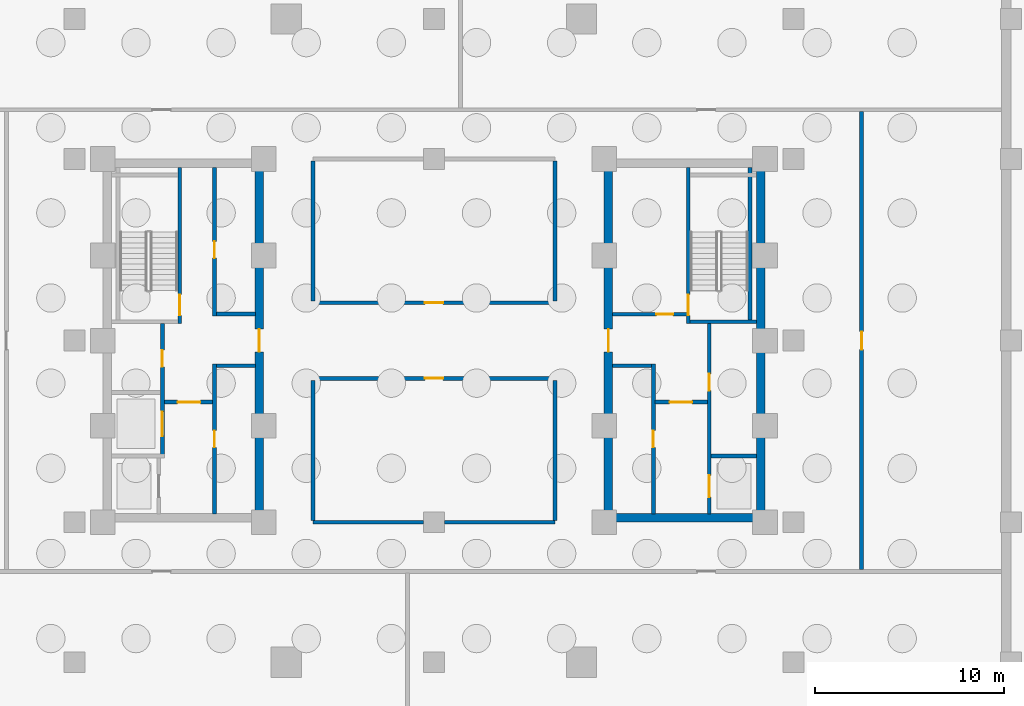
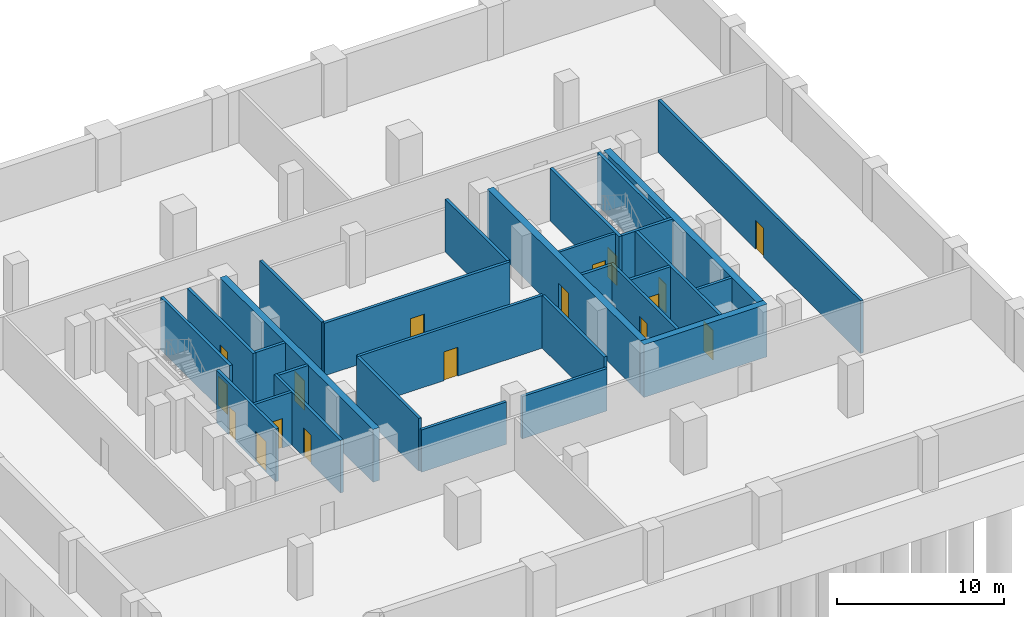
# One storey, part 3 of 6: 29 walls, 17 doors, 17 openings.
"""IFC4 building model written with IfcOpenShell, lengths in metres."""

from ifc_helpers import new_model, si_unit, direction, frame, frame_2d, origin, place, context, subcontext, project, spatial, rectangle, extrude, source, transform, mapped, material, layer, layer_set, type_object, type_shapes, element, fill, save


model = new_model("IFC4")

# Units and contexts
model_context = context("Model", 3, precision=1e-05, world=origin(), true_north=direction((0.0, 1.0)))
body_context = subcontext(model_context, "Body", "Model", "MODEL_VIEW")
ifc_project = project(units=[si_unit("LENGTHUNIT", "METRE"), si_unit("AREAUNIT", "SQUARE_METRE"), si_unit("VOLUMEUNIT", "CUBIC_METRE"), si_unit("PLANEANGLEUNIT", "RADIAN"), si_unit("MASSUNIT", "GRAM", prefix="KILO")], contexts=[model_context])

# Site, building, storey
site_placement = place(None, origin())
site = spatial("IfcSite", under=ifc_project, at=site_placement, CompositionType="ELEMENT")
building_placement = place(site_placement, origin())
building = spatial("IfcBuilding", under=site, at=building_placement, Name="Nuvemarco Arch Tower", CompositionType="ELEMENT")
storey_placement = place(building_placement, frame((0.0, 0.0, -8.39990234375)))
storey = spatial("IfcBuildingStorey", under=building, at=storey_placement, Name="B02", CompositionType="ELEMENT", Elevation=-8.39990234375)

# Wall, opening, door
ifc_material_1 = material(Name="Concrete C60/75", Category="concrete")
ifc_layer_1 = layer(ifc_material_1, 0.449951171875, Name="WL-CORE-450")
ifc_layer_set_1 = layer_set([ifc_layer_1], Name="Concrete C60/75")
wall_type_1 = type_object("IfcWallType", Name="WL-CORE-450", PredefinedType="SHEAR", material=ifc_layer_set_1)
wall_1_placement = place(storey_placement, frame((-9.22509765625, -9.155029296875, 0.0), z_axis=(0.0, 0.0, 1.0), x_axis=(0.0, 1.0, 0.0)))
wall_1 = element("IfcWall", 1, at=wall_1_placement, inside=storey, type_object=wall_type_1, Name="B02 W-core shear wall E", PredefinedType="SHEAR", context=body_context, shape_type="SweptSolid", body=[
    extrude(rectangle(XDim=18.31005859375, YDim=0.449951171875, at=frame_2d((9.155029296875, 0.0))), origin(), (0.0, 0.0, 1.0), 3.849853515625),
])
opening_1_placement = place(wall_1_placement, frame((8.554931640625, 0.0, 0.0)))
opening_1 = element("IfcOpeningElement", 2, at=opening_1_placement, cuts=wall_1, Name="Opening FD-2", PredefinedType="OPENING", context=body_context, shape_type="SweptSolid", body=[
    extrude(rectangle(XDim=1.199951171875, YDim=2.14990234375, at=frame_2d((0.60009765625, 1.074951171875))), frame((0.0, 0.23486328125, 0.0), z_axis=(0.0, -1.0, 0.0), x_axis=(1.0, 0.0, 0.0)), (0.0, 0.0, 1.0), 0.469970703125),
])
ifc_material_2 = material(Name="Anodised steel fire door", Category="steel")
door_type_1 = type_object("IfcDoorType", Name="DR-FFLOB-FD", OperationType="NOTDEFINED", PredefinedType="DOOR", material=ifc_material_2)
shared_shape_1 = source(origin(), body_context, "Body", "SweptSolid", [
    extrude(rectangle(XDim=1.199951171875, YDim=2.14990234375, at=frame_2d((0.60009765625, 1.074951171875))), frame((0.0, 0.02490234375, 0.0), z_axis=(0.0, -1.0, 0.0), x_axis=(1.0, 0.0, 0.0)), (0.0, 0.0, 1.0), 0.050048828125),
])
type_shapes(door_type_1, [shared_shape_1])
door_1_placement = place(opening_1_placement, origin())
door_1 = element("IfcDoor", 3, at=door_1_placement, inside=storey, type_object=door_type_1, Name="B02 door FD-B02-WCORE-E", OperationType="SINGLE_SWING_LEFT", OverallHeight=2.14990234375, OverallWidth=1.199951171875, PredefinedType="DOOR", context=body_context, shape_type="MappedRepresentation", body=[
    mapped(shared_shape_1, transform((0.0, 0.0, 0.0), scale=1.0)),
])
fill(opening_1, door_1)

# Wall
wall_2_placement = place(storey_placement, frame((9.0, -9.375, 0.0), z_axis=(0.0, 0.0, 1.0), x_axis=(1.0, 0.0, 0.0)))
element("IfcWall", 4, at=wall_2_placement, inside=storey, type_object=wall_type_1, Name="B02 E-core shear wall S", PredefinedType="SHEAR", context=body_context, shape_type="SweptSolid", body=[
    extrude(rectangle(XDim=8.5, YDim=0.449951171875, at=frame_2d((4.25, 0.0))), origin(), (0.0, 0.0, 1.0), 3.849853515625),
])

# Wall, opening, door
wall_3_placement = place(storey_placement, frame((9.22509765625, -9.155029296875, 0.0), z_axis=(0.0, 0.0, 1.0), x_axis=(0.0, 1.0, 0.0)))
wall_3 = element("IfcWall", 5, at=wall_3_placement, inside=storey, type_object=wall_type_1, Name="B02 E-core shear wall W", PredefinedType="SHEAR", context=body_context, shape_type="SweptSolid", body=[
    extrude(rectangle(XDim=18.31005859375, YDim=0.449951171875, at=frame_2d((9.155029296875, 0.0))), origin(), (0.0, 0.0, 1.0), 3.849853515625),
])
opening_2_placement = place(wall_3_placement, frame((8.554931640625, 0.0, 0.0)))
opening_2 = element("IfcOpeningElement", 6, at=opening_2_placement, cuts=wall_3, Name="Opening FD-2", PredefinedType="OPENING", context=body_context, shape_type="SweptSolid", body=[
    extrude(rectangle(XDim=1.199951171875, YDim=2.14990234375, at=frame_2d((0.60009765625, 1.074951171875))), frame((0.0, 0.23486328125, 0.0), z_axis=(0.0, -1.0, 0.0), x_axis=(1.0, 0.0, 0.0)), (0.0, 0.0, 1.0), 0.469970703125),
])
door_2_placement = place(opening_2_placement, origin())
door_2 = element("IfcDoor", 7, at=door_2_placement, inside=storey, type_object=door_type_1, Name="B02 door FD-B02-ECORE-W", OperationType="SINGLE_SWING_RIGHT", OverallHeight=2.14990234375, OverallWidth=1.199951171875, PredefinedType="DOOR", context=body_context, shape_type="MappedRepresentation", body=[
    mapped(shared_shape_1, transform((0.0, 0.0, 0.0), scale=1.0)),
])
fill(opening_2, door_2)

# Wall
wall_4_placement = place(storey_placement, frame((17.27490234375, -9.155029296875, 0.0), z_axis=(0.0, 0.0, 1.0), x_axis=(0.0, 1.0, 0.0)))
element("IfcWall", 8, at=wall_4_placement, inside=storey, type_object=wall_type_1, Name="B02 E-core shear wall E", PredefinedType="SHEAR", context=body_context, shape_type="SweptSolid", body=[
    extrude(rectangle(XDim=18.31005859375, YDim=0.449951171875, at=frame_2d((9.155029296875, 0.0))), origin(), (0.0, 0.0, 1.0), 3.849853515625),
])

# Wall, opening, door
ifc_material_3 = material(Name="Fire-rated gypsum drywall partition")
ifc_layer_2 = layer(ifc_material_3, 0.179931640625, Name="WL-CORR-180")
ifc_layer_set_2 = layer_set([ifc_layer_2], Name="Fire-rated gypsum drywall partition")
wall_type_2 = type_object("IfcWallType", Name="WL-CORR-180", PredefinedType="PARTITIONING", material=ifc_layer_set_2)
wall_5_placement = place(storey_placement, frame((9.445068359375, 1.39990234375, 0.0), z_axis=(0.0, 0.0, 1.0), x_axis=(1.0, 0.0, 0.0)))
wall_5 = element("IfcWall", 9, at=wall_5_placement, inside=storey, type_object=wall_type_2, Name="B02 interior wall IW-B02-EK-S", PredefinedType="PARTITIONING", context=body_context, shape_type="SweptSolid", body=[
    extrude(rectangle(XDim=3.89990234375, YDim=0.179931640625, at=frame_2d((1.949951171875, 0.0))), origin(), (0.0, 0.0, 1.0), 3.83984375),
])
opening_3_placement = place(wall_5_placement, frame((2.31494140625, 0.0, 0.0)))
opening_3 = element("IfcOpeningElement", 10, at=opening_3_placement, cuts=wall_5, Name="Opening FD-4", PredefinedType="OPENING", context=body_context, shape_type="SweptSolid", body=[
    extrude(rectangle(XDim=0.8798828125, YDim=2.10009765625, at=frame_2d((0.43994140625, 1.050048828125))), frame((0.0, 0.099853515625, 0.0), z_axis=(0.0, -1.0, 0.0), x_axis=(1.0, 0.0, 0.0)), (0.0, 0.0, 1.0), 0.199951171875),
])
door_type_2 = type_object("IfcDoorType", Name="DR-RISER-FD", OperationType="NOTDEFINED", PredefinedType="DOOR", material=ifc_material_2)
shared_shape_2 = source(origin(), body_context, "Body", "SweptSolid", [
    extrude(rectangle(XDim=0.8798828125, YDim=2.10009765625, at=frame_2d((0.43994140625, 1.050048828125))), frame((0.0, 0.02490234375, 0.0), z_axis=(0.0, -1.0, 0.0), x_axis=(1.0, 0.0, 0.0)), (0.0, 0.0, 1.0), 0.050048828125),
])
type_shapes(door_type_2, [shared_shape_2])
door_3_placement = place(opening_3_placement, origin())
door_3 = element("IfcDoor", 11, at=door_3_placement, inside=storey, type_object=door_type_2, Name="B02 door FD-B02-EK1A", OperationType="SINGLE_SWING_LEFT", OverallHeight=2.10009765625, OverallWidth=0.8798828125, PredefinedType="DOOR", context=body_context, shape_type="MappedRepresentation", body=[
    mapped(shared_shape_2, transform((0.0, 0.0, 0.0), scale=1.0)),
])
fill(opening_3, door_3)

# Walls
ifc_material_4 = material(Name="Precast concrete C45/55", Category="concrete")
ifc_layer_3 = layer(ifc_material_4, 0.199951171875, Name="WL-PLANT-200")
ifc_layer_set_3 = layer_set([ifc_layer_3], Name="Precast concrete C45/55")
wall_type_3 = type_object("IfcWallType", Name="WL-PLANT-200", PredefinedType="STANDARD", material=ifc_layer_set_3)
for number, where, z_axis, x_axis, name in (
    (12, (-6.39990234375, -9.60009765625, 0.0), (0.0, 0.0, 1.0), (1.0, 0.0, 0.0), "B02 interior wall IW-B02-002"),
    (13, (0.5458984375, -9.60009765625, 0.0), (0.0, 0.0, 1.0), (1.0, 0.0, 0.0), "B02 interior wall IW-B02-003"),
):
    element("IfcWall", number, at=place(storey_placement, frame(where, z_axis=z_axis, x_axis=x_axis)), inside=storey, type_object=wall_type_3, Name=name, PredefinedType="STANDARD", context=body_context, shape_type="SweptSolid", body=[
        extrude(rectangle(XDim=5.85400390625, YDim=0.199951171875, at=frame_2d((2.927001953125, 0.0))), origin(), (0.0, 0.0, 1.0), 3.0849609375),
    ])

# Wall, opening, door
wall_6_placement = place(storey_placement, frame((-6.39990234375, -2.0, 0.0), z_axis=(0.0, 0.0, 1.0), x_axis=(1.0, 0.0, 0.0)))
wall_6 = element("IfcWall", 14, at=wall_6_placement, inside=storey, type_object=wall_type_3, Name="B02 interior wall IW-B02-004", PredefinedType="STANDARD", context=body_context, shape_type="SweptSolid", body=[
    extrude(rectangle(XDim=12.7998046875, YDim=0.199951171875, at=frame_2d((6.39990234375, 0.0))), origin(), (0.0, 0.0, 1.0), 3.83984375),
])
opening_4_placement = place(wall_6_placement, frame((5.919921875, 0.0, 0.0)))
opening_4 = element("IfcOpeningElement", 15, at=opening_4_placement, cuts=wall_6, Name="Opening FD-5", PredefinedType="OPENING", context=body_context, shape_type="SweptSolid", body=[
    extrude(rectangle(XDim=0.9599609375, YDim=2.10009765625, at=frame_2d((0.47998046875, 1.050048828125))), frame((0.0, 0.10986328125, 0.0), z_axis=(0.0, -1.0, 0.0), x_axis=(1.0, 0.0, 0.0)), (0.0, 0.0, 1.0), 0.219970703125),
])
ifc_material_5 = material(Name="Timber fire door", Category="wood")
door_type_3 = type_object("IfcDoorType", Name="DR-CORR-FD", OperationType="NOTDEFINED", PredefinedType="DOOR", material=ifc_material_5)
shared_shape_3 = source(origin(), body_context, "Body", "SweptSolid", [
    extrude(rectangle(XDim=0.9599609375, YDim=2.10009765625, at=frame_2d((0.47998046875, 1.050048828125))), frame((0.0, 0.02490234375, 0.0), z_axis=(0.0, -1.0, 0.0), x_axis=(1.0, 0.0, 0.0)), (0.0, 0.0, 1.0), 0.050048828125),
])
type_shapes(door_type_3, [shared_shape_3])
door_4_placement = place(opening_4_placement, origin())
door_4 = element("IfcDoor", 16, at=door_4_placement, inside=storey, type_object=door_type_3, Name="B02 door DR-B02-B02_CS", OperationType="SINGLE_SWING_LEFT", OverallHeight=2.10009765625, OverallWidth=0.9599609375, PredefinedType="DOOR", context=body_context, shape_type="MappedRepresentation", body=[
    mapped(shared_shape_3, transform((0.0, 0.0, 0.0), scale=1.0)),
])
fill(opening_4, door_4)

wall_7_placement = place(storey_placement, frame((-6.39990234375, 2.0, 0.0), z_axis=(0.0, 0.0, 1.0), x_axis=(1.0, 0.0, 0.0)))
wall_7 = element("IfcWall", 17, at=wall_7_placement, inside=storey, type_object=wall_type_3, Name="B02 interior wall IW-B02-005", PredefinedType="STANDARD", context=body_context, shape_type="SweptSolid", body=[
    extrude(rectangle(XDim=12.7998046875, YDim=0.199951171875, at=frame_2d((6.39990234375, 0.0))), origin(), (0.0, 0.0, 1.0), 3.83984375),
])
opening_5_placement = place(wall_7_placement, frame((5.919921875, 0.0, 0.0)))
opening_5 = element("IfcOpeningElement", 18, at=opening_5_placement, cuts=wall_7, Name="Opening FD-5", PredefinedType="OPENING", context=body_context, shape_type="SweptSolid", body=[
    extrude(rectangle(XDim=0.9599609375, YDim=2.10009765625, at=frame_2d((0.47998046875, 1.050048828125))), frame((0.0, 0.10986328125, 0.0), z_axis=(0.0, -1.0, 0.0), x_axis=(1.0, 0.0, 0.0)), (0.0, 0.0, 1.0), 0.219970703125),
])
door_5_placement = place(opening_5_placement, origin())
door_5 = element("IfcDoor", 19, at=door_5_placement, inside=storey, type_object=door_type_3, Name="B02 door DR-B02-B02_CN", OperationType="SINGLE_SWING_RIGHT", OverallHeight=2.10009765625, OverallWidth=0.9599609375, PredefinedType="DOOR", context=body_context, shape_type="MappedRepresentation", body=[
    mapped(shared_shape_3, transform((0.0, 0.0, 0.0), scale=1.0)),
])
fill(opening_5, door_5)

# Walls
for number, where, z_axis, x_axis, name in (
    (20, (-6.39990234375, -9.50390625, 0.0), (0.0, 0.0, 1.0), (0.0, 1.0, 0.0), "B02 interior wall IW-B02-010"),
    (21, (-6.39990234375, 2.095947265625, 0.0), (0.0, 0.0, 1.0), (0.0, 1.0, 0.0), "B02 interior wall IW-B02-011"),
    (22, (6.39990234375, -9.50390625, 0.0), (0.0, 0.0, 1.0), (0.0, 1.0, 0.0), "B02 interior wall IW-B02-014"),
    (23, (6.39990234375, 2.095947265625, 0.0), (0.0, 0.0, 1.0), (0.0, 1.0, 0.0), "B02 interior wall IW-B02-015"),
):
    element("IfcWall", number, at=place(storey_placement, frame(where, z_axis=z_axis, x_axis=x_axis)), inside=storey, type_object=wall_type_3, Name=name, PredefinedType="STANDARD", context=body_context, shape_type="SweptSolid", body=[
        extrude(rectangle(XDim=7.407958984375, YDim=0.199951171875, at=frame_2d((3.7041015625, 0.0))), origin(), (0.0, 0.0, 1.0), 3.83984375),
    ])

# Wall, opening, door
wall_8_placement = place(storey_placement, frame((22.60009765625, -12.10400390625, 0.0), z_axis=(0.0, 0.0, 1.0), x_axis=(0.0, 1.0, 0.0)))
wall_8 = element("IfcWall", 24, at=wall_8_placement, inside=storey, type_object=wall_type_3, Name="B02 interior wall IW-B02-016", PredefinedType="STANDARD", context=body_context, shape_type="SweptSolid", body=[
    extrude(rectangle(XDim=24.2080078125, YDim=0.199951171875, at=frame_2d((12.10400390625, 0.0))), origin(), (0.0, 0.0, 1.0), 3.83984375),
])
opening_6_placement = place(wall_8_placement, frame((11.6240234375, 0.0, 0.0)))
opening_6 = element("IfcOpeningElement", 25, at=opening_6_placement, cuts=wall_8, Name="Opening FD-5", PredefinedType="OPENING", context=body_context, shape_type="SweptSolid", body=[
    extrude(rectangle(XDim=0.9599609375, YDim=2.10009765625, at=frame_2d((0.47998046875, 1.050048828125))), frame((0.0, 0.10986328125, 0.0), z_axis=(0.0, -1.0, 0.0), x_axis=(1.0, 0.0, 0.0)), (0.0, 0.0, 1.0), 0.219970703125),
])
door_6_placement = place(opening_6_placement, origin())
door_6 = element("IfcDoor", 26, at=door_6_placement, inside=storey, type_object=door_type_3, Name="B02 door DR-B02-B02_ETNK", OperationType="SINGLE_SWING_LEFT", OverallHeight=2.10009765625, OverallWidth=0.9599609375, PredefinedType="DOOR", context=body_context, shape_type="MappedRepresentation", body=[
    mapped(shared_shape_3, transform((0.0, 0.0, 0.0), scale=1.0)),
])
fill(opening_6, door_6)

ifc_material_6 = material(Name="Concrete C50/60", Category="concrete")
ifc_layer_4 = layer(ifc_material_6, 0.199951171875, Name="WL-SHAFT-220")
ifc_layer_set_4 = layer_set([ifc_layer_4], Name="Concrete C50/60")
wall_type_4 = type_object("IfcWallType", Name="WL-SHAFT-220", PredefinedType="SHEAR", material=ifc_layer_set_4)
wall_9_placement = place(storey_placement, frame((-13.43994140625, 0.89990234375, 0.0), z_axis=(0.0, 0.0, 1.0), x_axis=(0.0, 1.0, 0.0)))
wall_9 = element("IfcWall", 27, at=wall_9_placement, inside=storey, type_object=wall_type_4, Name="B02 structural shaft wall SW-B02-W-ST1E", PredefinedType="SHEAR", context=body_context, shape_type="SweptSolid", body=[
    extrude(rectangle(XDim=8.255126953125, YDim=0.199951171875, at=frame_2d((4.12744140625, 0.0))), origin(), (0.0, 0.0, 1.0), 3.849853515625),
])
opening_7_placement = place(wall_9_placement, frame((1.530029296875, 0.0, 0.0), z_axis=(0.0, 0.0, 1.0), x_axis=(-1.0, 0.0, 0.0)))
opening_7 = element("IfcOpeningElement", 28, at=opening_7_placement, cuts=wall_9, Name="Opening FD-1", PredefinedType="OPENING", context=body_context, shape_type="SweptSolid", body=[
    extrude(rectangle(XDim=1.10009765625, YDim=2.14990234375, at=frame_2d((0.550048828125, 1.074951171875))), frame((0.0, 0.10986328125, 0.0), z_axis=(0.0, -1.0, 0.0), x_axis=(1.0, 0.0, 0.0)), (0.0, 0.0, 1.0), 0.219970703125),
])
door_type_4 = type_object("IfcDoorType", Name="DR-STAIR-FD", OperationType="NOTDEFINED", PredefinedType="DOOR", material=ifc_material_2)
shared_shape_4 = source(origin(), body_context, "Body", "SweptSolid", [
    extrude(rectangle(XDim=1.10009765625, YDim=2.14990234375, at=frame_2d((0.550048828125, 1.074951171875))), frame((0.0, 0.02490234375, 0.0), z_axis=(0.0, -1.0, 0.0), x_axis=(1.0, 0.0, 0.0)), (0.0, 0.0, 1.0), 0.050048828125),
])
type_shapes(door_type_4, [shared_shape_4])
door_7_placement = place(opening_7_placement, origin())
door_7 = element("IfcDoor", 29, at=door_7_placement, inside=storey, type_object=door_type_4, Name="B02 door FD-B02-ST1", OperationType="SINGLE_SWING_RIGHT", OverallHeight=2.14990234375, OverallWidth=1.10009765625, PredefinedType="DOOR", context=body_context, shape_type="MappedRepresentation", body=[
    mapped(shared_shape_4, transform((0.0, 0.0, 0.0), scale=1.0)),
])
fill(opening_7, door_7)

# Wall, openings, doors
wall_10_placement = place(storey_placement, frame((-14.35009765625, -6.199951171875, 0.0), z_axis=(0.0, 0.0, 1.0), x_axis=(0.0, 1.0, 0.0)))
wall_10 = element("IfcWall", 30, at=wall_10_placement, inside=storey, type_object=wall_type_4, Name="B02 structural shaft wall SW-B02-W-SVE", PredefinedType="SHEAR", context=body_context, shape_type="SweptSolid", body=[
    extrude(rectangle(XDim=7.10498046875, YDim=0.199951171875, at=frame_2d((3.552490234375, 0.0))), origin(), (0.0, 0.0, 1.0), 3.849853515625),
])
opening_8_placement = place(wall_10_placement, frame((5.68994140625, 0.0, 0.0), z_axis=(0.0, 0.0, 1.0), x_axis=(-1.0, 0.0, 0.0)))
opening_8 = element("IfcOpeningElement", 31, at=opening_8_placement, cuts=wall_10, Name="Opening FD-4", PredefinedType="OPENING", context=body_context, shape_type="SweptSolid", body=[
    extrude(rectangle(XDim=0.8798828125, YDim=2.10009765625, at=frame_2d((0.43994140625, 1.050048828125))), frame((0.0, 0.10986328125, 0.0), z_axis=(0.0, -1.0, 0.0), x_axis=(1.0, 0.0, 0.0)), (0.0, 0.0, 1.0), 0.219970703125),
])
opening_9_placement = place(wall_10_placement, frame((1.14990234375, 0.0, 0.0)))
opening_9 = element("IfcOpeningElement", 32, at=opening_9_placement, cuts=wall_10, Name="Opening LD-3", PredefinedType="OPENING", context=body_context, shape_type="SweptSolid", body=[
    extrude(rectangle(XDim=1.300048828125, YDim=2.199951171875, at=frame_2d((0.64990234375, 1.10009765625))), frame((0.0, 0.10986328125, 0.0), z_axis=(0.0, -1.0, 0.0), x_axis=(1.0, 0.0, 0.0)), (0.0, 0.0, 1.0), 0.219970703125),
])
door_8_placement = place(opening_8_placement, origin())
door_8 = element("IfcDoor", 33, at=door_8_placement, inside=storey, type_object=door_type_2, Name="B02 door FD-B02-WRIS", OperationType="SINGLE_SWING_RIGHT", OverallHeight=2.10009765625, OverallWidth=0.8798828125, PredefinedType="DOOR", context=body_context, shape_type="MappedRepresentation", body=[
    mapped(shared_shape_2, transform((0.0, 0.0, 0.0), scale=1.0)),
])
fill(opening_8, door_8)
ifc_material_7 = material(Name="Stainless steel lift door", Category="steel")
door_type_5 = type_object("IfcDoorType", Name="DR-LIFT-SERV", OperationType="DOUBLE_DOOR_SLIDING", PredefinedType="DOOR", material=ifc_material_7)
shared_shape_5 = source(origin(), body_context, "Body", "SweptSolid", [
    extrude(rectangle(XDim=1.300048828125, YDim=2.199951171875, at=frame_2d((0.64990234375, 1.10009765625))), frame((0.0, 0.02490234375, 0.0), z_axis=(0.0, -1.0, 0.0), x_axis=(1.0, 0.0, 0.0)), (0.0, 0.0, 1.0), 0.050048828125),
])
type_shapes(door_type_5, [shared_shape_5])
door_9_placement = place(opening_9_placement, origin())
door_9 = element("IfcDoor", 34, at=door_9_placement, inside=storey, type_object=door_type_5, Name="B02 Lift landing sliding door SVL-1", OperationType="DOUBLE_DOOR_SLIDING", OverallHeight=2.199951171875, OverallWidth=1.300048828125, PredefinedType="DOOR", context=body_context, shape_type="MappedRepresentation", body=[
    mapped(shared_shape_5, transform((0.0, 0.0, 0.0), scale=1.0)),
])
fill(opening_9, door_9)

# Wall, opening, door
wall_11_placement = place(storey_placement, frame((-11.60009765625, -9.155029296875, 0.0), z_axis=(0.0, 0.0, 1.0), x_axis=(0.0, 1.0, 0.0)))
wall_11 = element("IfcWall", 35, at=wall_11_placement, inside=storey, type_object=wall_type_4, Name="B02 structural shaft wall SW-B02-W-PLW", PredefinedType="SHEAR", context=body_context, shape_type="SweptSolid", body=[
    extrude(rectangle(XDim=7.925048828125, YDim=0.199951171875, at=frame_2d((3.96240234375, 0.0))), origin(), (0.0, 0.0, 1.0), 3.849853515625),
])
opening_10_placement = place(wall_11_placement, frame((3.514892578125, 0.0, 0.0)))
opening_10 = element("IfcOpeningElement", 36, at=opening_10_placement, cuts=wall_11, Name="Opening FD-4", PredefinedType="OPENING", context=body_context, shape_type="SweptSolid", body=[
    extrude(rectangle(XDim=0.8798828125, YDim=2.10009765625, at=frame_2d((0.43994140625, 1.050048828125))), frame((0.0, 0.10986328125, 0.0), z_axis=(0.0, -1.0, 0.0), x_axis=(1.0, 0.0, 0.0)), (0.0, 0.0, 1.0), 0.219970703125),
])
door_10_placement = place(opening_10_placement, origin())
door_10 = element("IfcDoor", 37, at=door_10_placement, inside=storey, type_object=door_type_2, Name="B02 door FD-B02-WBST1", OperationType="SINGLE_SWING_RIGHT", OverallHeight=2.10009765625, OverallWidth=0.8798828125, PredefinedType="DOOR", context=body_context, shape_type="MappedRepresentation", body=[
    mapped(shared_shape_2, transform((0.0, 0.0, 0.0), scale=1.0)),
])
fill(opening_10, door_10)

wall_12_placement = place(storey_placement, frame((-14.2548828125, -3.25, 0.0), z_axis=(0.0, 0.0, 1.0), x_axis=(1.0, 0.0, 0.0)))
wall_12 = element("IfcWall", 38, at=wall_12_placement, inside=storey, type_object=wall_type_4, Name="B02 structural shaft wall SW-B02-W-FFN", PredefinedType="SHEAR", context=body_context, shape_type="SweptSolid", body=[
    extrude(rectangle(XDim=2.559814453125, YDim=0.199951171875, at=frame_2d((1.27978515625, 0.0))), origin(), (0.0, 0.0, 1.0), 3.849853515625),
])
opening_11_placement = place(wall_12_placement, frame((0.705078125, 0.0, 0.0)))
opening_11 = element("IfcOpeningElement", 39, at=opening_11_placement, cuts=wall_12, Name="Opening FD-2", PredefinedType="OPENING", context=body_context, shape_type="SweptSolid", body=[
    extrude(rectangle(XDim=1.199951171875, YDim=2.14990234375, at=frame_2d((0.60009765625, 1.074951171875))), frame((0.0, 0.10986328125, 0.0), z_axis=(0.0, -1.0, 0.0), x_axis=(1.0, 0.0, 0.0)), (0.0, 0.0, 1.0), 0.219970703125),
])
door_11_placement = place(opening_11_placement, origin())
door_11 = element("IfcDoor", 40, at=door_11_placement, inside=storey, type_object=door_type_1, Name="B02 door FD-B02-WFF1", OperationType="SINGLE_SWING_RIGHT", OverallHeight=2.14990234375, OverallWidth=1.199951171875, PredefinedType="DOOR", context=body_context, shape_type="MappedRepresentation", body=[
    mapped(shared_shape_1, transform((0.0, 0.0, 0.0), scale=1.0)),
])
fill(opening_11, door_11)

# Wall
wall_13_placement = place(storey_placement, frame((-11.5048828125, -1.330078125, 0.0), z_axis=(0.0, 0.0, 1.0), x_axis=(1.0, 0.0, 0.0)))
element("IfcWall", 41, at=wall_13_placement, inside=storey, type_object=wall_type_4, Name="B02 structural shaft wall SW-B02-W-PLTOP", PredefinedType="SHEAR", context=body_context, shape_type="SweptSolid", body=[
    extrude(rectangle(XDim=2.059814453125, YDim=0.199951171875, at=frame_2d((1.02978515625, 0.0))), origin(), (0.0, 0.0, 1.0), 3.849853515625),
])

# Wall, opening, door
wall_14_placement = place(storey_placement, frame((-11.60009765625, 1.300048828125, 0.0), z_axis=(0.0, 0.0, 1.0), x_axis=(0.0, 1.0, 0.0)))
wall_14 = element("IfcWall", 42, at=wall_14_placement, inside=storey, type_object=wall_type_4, Name="B02 structural shaft wall SW-B02-W-PHW", PredefinedType="SHEAR", context=body_context, shape_type="SweptSolid", body=[
    extrude(rectangle(XDim=7.85498046875, YDim=0.199951171875, at=frame_2d((3.927490234375, 0.0))), origin(), (0.0, 0.0, 1.0), 3.849853515625),
])
opening_12_placement = place(wall_14_placement, frame((3.06005859375, 0.0, 0.0)))
opening_12 = element("IfcOpeningElement", 43, at=opening_12_placement, cuts=wall_14, Name="Opening FD-4", PredefinedType="OPENING", context=body_context, shape_type="SweptSolid", body=[
    extrude(rectangle(XDim=0.8798828125, YDim=2.10009765625, at=frame_2d((0.43994140625, 1.050048828125))), frame((0.0, 0.10986328125, 0.0), z_axis=(0.0, -1.0, 0.0), x_axis=(1.0, 0.0, 0.0)), (0.0, 0.0, 1.0), 0.219970703125),
])
door_12_placement = place(opening_12_placement, origin())
door_12 = element("IfcDoor", 44, at=door_12_placement, inside=storey, type_object=door_type_2, Name="B02 door FD-B02-WBST2", OperationType="SINGLE_SWING_LEFT", OverallHeight=2.10009765625, OverallWidth=0.8798828125, PredefinedType="DOOR", context=body_context, shape_type="MappedRepresentation", body=[
    mapped(shared_shape_2, transform((0.0, 0.0, 0.0), scale=1.0)),
])
fill(opening_12, door_12)

# Wall
wall_15_placement = place(storey_placement, frame((-11.5048828125, 1.39990234375, 0.0), z_axis=(0.0, 0.0, 1.0), x_axis=(1.0, 0.0, 0.0)))
element("IfcWall", 45, at=wall_15_placement, inside=storey, type_object=wall_type_4, Name="B02 structural shaft wall SW-B02-W-PHBOT", PredefinedType="SHEAR", context=body_context, shape_type="SweptSolid", body=[
    extrude(rectangle(XDim=2.059814453125, YDim=0.199951171875, at=frame_2d((1.02978515625, 0.0))), origin(), (0.0, 0.0, 1.0), 3.849853515625),
])

# Wall, opening, door
wall_16_placement = place(storey_placement, frame((13.43994140625, 0.89990234375, 0.0), z_axis=(0.0, 0.0, 1.0), x_axis=(0.0, 1.0, 0.0)))
wall_16 = element("IfcWall", 46, at=wall_16_placement, inside=storey, type_object=wall_type_4, Name="B02 structural shaft wall SW-B02-E-ST2W", PredefinedType="SHEAR", context=body_context, shape_type="SweptSolid", body=[
    extrude(rectangle(XDim=8.255126953125, YDim=0.199951171875, at=frame_2d((4.12744140625, 0.0))), origin(), (0.0, 0.0, 1.0), 3.849853515625),
])
opening_13_placement = place(wall_16_placement, frame((0.429931640625, 0.0, 0.0)))
opening_13 = element("IfcOpeningElement", 47, at=opening_13_placement, cuts=wall_16, Name="Opening FD-1", PredefinedType="OPENING", context=body_context, shape_type="SweptSolid", body=[
    extrude(rectangle(XDim=1.10009765625, YDim=2.14990234375, at=frame_2d((0.550048828125, 1.074951171875))), frame((0.0, 0.10986328125, 0.0), z_axis=(0.0, -1.0, 0.0), x_axis=(1.0, 0.0, 0.0)), (0.0, 0.0, 1.0), 0.219970703125),
])
door_13_placement = place(opening_13_placement, origin())
door_13 = element("IfcDoor", 48, at=door_13_placement, inside=storey, type_object=door_type_4, Name="B02 door FD-B02-ST2", OperationType="SINGLE_SWING_LEFT", OverallHeight=2.14990234375, OverallWidth=1.10009765625, PredefinedType="DOOR", context=body_context, shape_type="MappedRepresentation", body=[
    mapped(shared_shape_4, transform((0.0, 0.0, 0.0), scale=1.0)),
])
fill(opening_13, door_13)

# Walls
wall_17_placement = place(storey_placement, frame((13.534912109375, 1.0, 0.0), z_axis=(0.0, 0.0, 1.0), x_axis=(1.0, 0.0, 0.0)))
element("IfcWall", 49, at=wall_17_placement, inside=storey, type_object=wall_type_4, Name="B02 structural shaft wall SW-B02-E-ST2S", PredefinedType="SHEAR", context=body_context, shape_type="SweptSolid", body=[
    extrude(rectangle(XDim=3.52001953125, YDim=0.199951171875, at=frame_2d((1.760009765625, 0.0))), origin(), (0.0, 0.0, 1.0), 3.849853515625),
])
wall_18_placement = place(storey_placement, frame((16.699951171875, 1.094970703125, 0.0), z_axis=(0.0, 0.0, 1.0), x_axis=(0.0, 1.0, 0.0)))
element("IfcWall", 50, at=wall_18_placement, inside=storey, type_object=wall_type_4, Name="B02 structural shaft wall SW-B02-E-ST2E", PredefinedType="SHEAR", context=body_context, shape_type="SweptSolid", body=[
    extrude(rectangle(XDim=8.06005859375, YDim=0.199951171875, at=frame_2d((4.030029296875, 0.0))), origin(), (0.0, 0.0, 1.0), 3.849853515625),
])

# Wall, openings, doors
wall_19_placement = place(storey_placement, frame((14.550048828125, -9.155029296875, 0.0), z_axis=(0.0, 0.0, 1.0), x_axis=(0.0, 1.0, 0.0)))
wall_19 = element("IfcWall", 51, at=wall_19_placement, inside=storey, type_object=wall_type_4, Name="B02 structural shaft wall SW-B02-E-SHW", PredefinedType="SHEAR", context=body_context, shape_type="SweptSolid", body=[
    extrude(rectangle(XDim=10.06005859375, YDim=0.199951171875, at=frame_2d((5.030029296875, 0.0))), origin(), (0.0, 0.0, 1.0), 3.849853515625),
])
opening_14_placement = place(wall_19_placement, frame((6.514892578125, 0.0, 0.0)))
opening_14 = element("IfcOpeningElement", 52, at=opening_14_placement, cuts=wall_19, Name="Opening FD-4", PredefinedType="OPENING", context=body_context, shape_type="SweptSolid", body=[
    extrude(rectangle(XDim=0.8798828125, YDim=2.10009765625, at=frame_2d((0.43994140625, 1.050048828125))), frame((0.0, 0.10986328125, 0.0), z_axis=(0.0, -1.0, 0.0), x_axis=(1.0, 0.0, 0.0)), (0.0, 0.0, 1.0), 0.219970703125),
])
opening_15_placement = place(wall_19_placement, frame((0.8798828125, 0.0, 0.0)))
opening_15 = element("IfcOpeningElement", 53, at=opening_15_placement, cuts=wall_19, Name="Opening LD-2", PredefinedType="OPENING", context=body_context, shape_type="SweptSolid", body=[
    extrude(rectangle(XDim=1.14990234375, YDim=2.14990234375, at=frame_2d((0.574951171875, 1.074951171875))), frame((0.0, 0.10986328125, 0.0), z_axis=(0.0, -1.0, 0.0), x_axis=(1.0, 0.0, 0.0)), (0.0, 0.0, 1.0), 0.219970703125),
])
door_14_placement = place(opening_14_placement, origin())
door_14 = element("IfcDoor", 54, at=door_14_placement, inside=storey, type_object=door_type_2, Name="B02 door FD-B02-ERIS", OperationType="SINGLE_SWING_LEFT", OverallHeight=2.10009765625, OverallWidth=0.8798828125, PredefinedType="DOOR", context=body_context, shape_type="MappedRepresentation", body=[
    mapped(shared_shape_2, transform((0.0, 0.0, 0.0), scale=1.0)),
])
fill(opening_14, door_14)
door_type_6 = type_object("IfcDoorType", Name="DR-LIFT-FIRE", OperationType="DOUBLE_DOOR_SLIDING", PredefinedType="DOOR", material=ifc_material_7)
shared_shape_6 = source(origin(), body_context, "Body", "SweptSolid", [
    extrude(rectangle(XDim=1.14990234375, YDim=2.14990234375, at=frame_2d((0.574951171875, 1.074951171875))), frame((0.0, 0.02490234375, 0.0), z_axis=(0.0, -1.0, 0.0), x_axis=(1.0, 0.0, 0.0)), (0.0, 0.0, 1.0), 0.050048828125),
])
type_shapes(door_type_6, [shared_shape_6])
door_15_placement = place(opening_15_placement, origin())
door_15 = element("IfcDoor", 55, at=door_15_placement, inside=storey, type_object=door_type_6, Name="B02 Lift landing sliding door FFL-2", OperationType="DOUBLE_DOOR_SLIDING", OverallHeight=2.14990234375, OverallWidth=1.14990234375, PredefinedType="DOOR", context=body_context, shape_type="MappedRepresentation", body=[
    mapped(shared_shape_6, transform((0.0, 0.0, 0.0), scale=1.0)),
])
fill(opening_15, door_15)

# Wall
wall_20_placement = place(storey_placement, frame((14.64501953125, -6.10009765625, 0.0), z_axis=(0.0, 0.0, 1.0), x_axis=(1.0, 0.0, 0.0)))
element("IfcWall", 56, at=wall_20_placement, inside=storey, type_object=wall_type_4, Name="B02 structural shaft wall SW-B02-E-SH1", PredefinedType="SHEAR", context=body_context, shape_type="SweptSolid", body=[
    extrude(rectangle(XDim=2.409912109375, YDim=0.199951171875, at=frame_2d((1.205078125, 0.0))), origin(), (0.0, 0.0, 1.0), 3.849853515625),
])

# Wall, opening, door
wall_21_placement = place(storey_placement, frame((11.60009765625, -9.155029296875, 0.0), z_axis=(0.0, 0.0, 1.0), x_axis=(0.0, 1.0, 0.0)))
wall_21 = element("IfcWall", 57, at=wall_21_placement, inside=storey, type_object=wall_type_4, Name="B02 structural shaft wall SW-B02-E-PME", PredefinedType="SHEAR", context=body_context, shape_type="SweptSolid", body=[
    extrude(rectangle(XDim=7.925048828125, YDim=0.199951171875, at=frame_2d((3.96240234375, 0.0))), origin(), (0.0, 0.0, 1.0), 3.849853515625),
])
opening_16_placement = place(wall_21_placement, frame((3.514892578125, 0.0, 0.0)))
opening_16 = element("IfcOpeningElement", 58, at=opening_16_placement, cuts=wall_21, Name="Opening FD-4", PredefinedType="OPENING", context=body_context, shape_type="SweptSolid", body=[
    extrude(rectangle(XDim=0.8798828125, YDim=2.10009765625, at=frame_2d((0.43994140625, 1.050048828125))), frame((0.0, 0.10986328125, 0.0), z_axis=(0.0, -1.0, 0.0), x_axis=(1.0, 0.0, 0.0)), (0.0, 0.0, 1.0), 0.219970703125),
])
door_16_placement = place(opening_16_placement, origin())
door_16 = element("IfcDoor", 59, at=door_16_placement, inside=storey, type_object=door_type_2, Name="B02 door FD-B02-EBST1", OperationType="SINGLE_SWING_RIGHT", OverallHeight=2.10009765625, OverallWidth=0.8798828125, PredefinedType="DOOR", context=body_context, shape_type="MappedRepresentation", body=[
    mapped(shared_shape_2, transform((0.0, 0.0, 0.0), scale=1.0)),
])
fill(opening_16, door_16)

wall_22_placement = place(storey_placement, frame((11.695068359375, -3.25, 0.0), z_axis=(0.0, 0.0, 1.0), x_axis=(1.0, 0.0, 0.0)))
wall_22 = element("IfcWall", 60, at=wall_22_placement, inside=storey, type_object=wall_type_4, Name="B02 structural shaft wall SW-B02-E-FFN", PredefinedType="SHEAR", context=body_context, shape_type="SweptSolid", body=[
    extrude(rectangle(XDim=2.760009765625, YDim=0.199951171875, at=frame_2d((1.3798828125, 0.0))), origin(), (0.0, 0.0, 1.0), 3.849853515625),
])
opening_17_placement = place(wall_22_placement, frame((0.7548828125, 0.0, 0.0)))
opening_17 = element("IfcOpeningElement", 61, at=opening_17_placement, cuts=wall_22, Name="Opening FD-2", PredefinedType="OPENING", context=body_context, shape_type="SweptSolid", body=[
    extrude(rectangle(XDim=1.199951171875, YDim=2.14990234375, at=frame_2d((0.60009765625, 1.074951171875))), frame((0.0, 0.10986328125, 0.0), z_axis=(0.0, -1.0, 0.0), x_axis=(1.0, 0.0, 0.0)), (0.0, 0.0, 1.0), 0.219970703125),
])
door_17_placement = place(opening_17_placement, origin())
door_17 = element("IfcDoor", 62, at=door_17_placement, inside=storey, type_object=door_type_1, Name="B02 door FD-B02-EFF2", OperationType="SINGLE_SWING_LEFT", OverallHeight=2.14990234375, OverallWidth=1.199951171875, PredefinedType="DOOR", context=body_context, shape_type="MappedRepresentation", body=[
    mapped(shared_shape_1, transform((0.0, 0.0, 0.0), scale=1.0)),
])
fill(opening_17, door_17)

# Wall
wall_23_placement = place(storey_placement, frame((9.445068359375, -1.330078125, 0.0), z_axis=(0.0, 0.0, 1.0), x_axis=(1.0, 0.0, 0.0)))
element("IfcWall", 63, at=wall_23_placement, inside=storey, type_object=wall_type_4, Name="B02 structural shaft wall SW-B02-E-PMTOP", PredefinedType="SHEAR", context=body_context, shape_type="SweptSolid", body=[
    extrude(rectangle(XDim=2.059814453125, YDim=0.199951171875, at=frame_2d((1.02978515625, 0.0))), origin(), (0.0, 0.0, 1.0), 3.849853515625),
])

save(model, "model.ifc")
